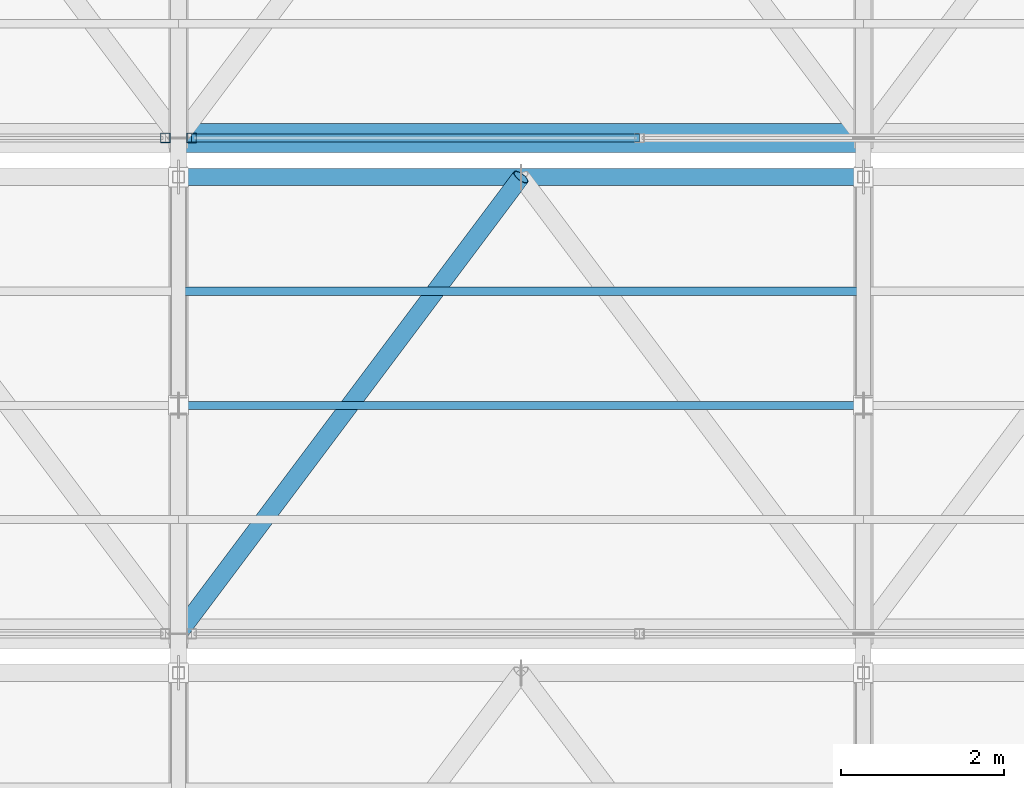
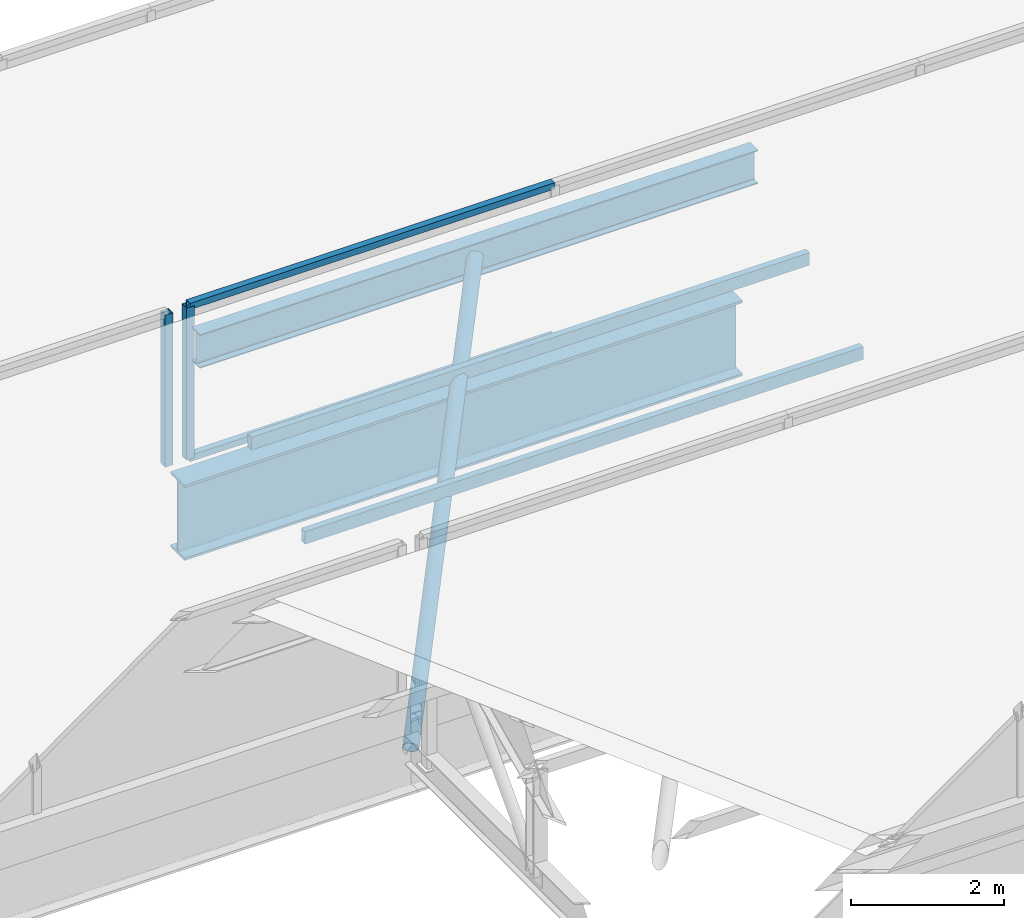
# One storey, part 112 of 217: 8 members, 1 beam, 2 elements without a shape of their own.
"""IFC4 building model written with IfcOpenShell, lengths in metres."""

import ifcopenshell
import ifcopenshell.guid

model = None  # the IFC model being written
_history = None  # IfcOwnerHistory: only IFC2X3 demands one
_inside = {}  # id of a spatial element -> (the spatial element, [elements in it])
_under = {}  # id of a project, library or spatial element -> (it, [spatial elements below it])
_declared = {}  # id of a project -> (the project, [libraries it declares])
_typed = {}  # id of a type object -> (the type object, [elements of that type])
_made_of = {}  # id of a material, layer set ... -> (it, [elements and type objects made of it])


def new_model(schema):
    """Start an empty IFC model of exactly this schema.

    Asked for "IFC4X3", IfcOpenShell would pick the latest addendum, in which some entities
    have other attributes; the version numbers below select the first issue.
    IFC2X3 requires an IfcOwnerHistory on every rooted entity: one is made here for all.
    """
    global model, _history
    if schema == "IFC4X3":
        model = ifcopenshell.file(schema_version=(4, 3, 0, 0))
    else:
        model = ifcopenshell.file(schema=schema)
    _inside.clear()
    _under.clear()
    _declared.clear()
    _typed.clear()
    _made_of.clear()
    _history = None
    if model.schema == "IFC2X3":
        org = make("IfcOrganization", Name="unknown")
        user = make(
            "IfcPersonAndOrganization",
            ThePerson=make("IfcPerson", FamilyName="unknown"),
            TheOrganization=org,
        )
        app = make(
            "IfcApplication",
            ApplicationDeveloper=org,
            Version="unknown",
            ApplicationFullName="unknown",
            ApplicationIdentifier="unknown",
        )
        _history = make(
            "IfcOwnerHistory",
            OwningUser=user,
            OwningApplication=app,
            ChangeAction="ADDED",
            CreationDate=0,
        )
    return model


def make(cls, **values):
    """One entity of the class cls with the attributes given. An attribute that is None is left unset."""
    return model.create_entity(
        cls, **{name: value for name, value in values.items() if value is not None}
    )


def rooted(cls, **values):
    """An entity with a GlobalId (a new one), such as an element, a storey or a relation."""
    return make(cls, GlobalId=ifcopenshell.guid.new(), OwnerHistory=_history, **values)


def si_unit(unit_type, name, prefix=None):
    """IfcSIUnit, for example si_unit("LENGTHUNIT", "METRE", prefix="MILLI")."""
    return make("IfcSIUnit", UnitType=unit_type, Prefix=prefix, Name=name)


def assignment(units):
    """IfcUnitAssignment: the units of a project."""
    return None if units is None else make("IfcUnitAssignment", Units=units)


def point(xyz):
    """IfcCartesianPoint."""
    return None if xyz is None else make("IfcCartesianPoint", Coordinates=xyz)


def direction(xyz):
    """IfcDirection."""
    return None if xyz is None else make("IfcDirection", DirectionRatios=xyz)


def frame(location, z_axis=None, x_axis=None):
    """IfcAxis2Placement3D, a coordinate frame: its origin and axes. An axis left out is left unset."""
    return make(
        "IfcAxis2Placement3D",
        Location=point(location),
        Axis=direction(z_axis),
        RefDirection=direction(x_axis),
    )


def frame_2d(location, x_axis=None):
    """IfcAxis2Placement2D, a coordinate frame in the plane: its origin and x axis."""
    return make(
        "IfcAxis2Placement2D", Location=point(location), RefDirection=direction(x_axis)
    )


def origin():
    """The frame at (0, 0, 0) with its axes left unset."""
    return frame((0.0, 0.0, 0.0))


def origin_2d():
    """The frame at (0, 0) in the plane with its x axis left unset."""
    return frame_2d((0.0, 0.0))


def place(relative_to, where):
    """IfcLocalPlacement: puts the frame where relative to a parent placement (None: the world)."""
    return make(
        "IfcLocalPlacement", PlacementRelTo=relative_to, RelativePlacement=where
    )


def context(
    kind, dimensions, precision=None, world=None, true_north=None, identifier=None
):
    """IfcGeometricRepresentationContext, for example the 3D "Model" context."""
    return make(
        "IfcGeometricRepresentationContext",
        ContextIdentifier=identifier,
        ContextType=kind,
        CoordinateSpaceDimension=dimensions,
        Precision=precision,
        WorldCoordinateSystem=world,
        TrueNorth=true_north,
    )


def subcontext(parent, identifier, kind, view, scale=None):
    """IfcGeometricRepresentationSubContext, for example "Body" below "Model"."""
    return make(
        "IfcGeometricRepresentationSubContext",
        ContextIdentifier=identifier,
        ContextType=kind,
        ParentContext=parent,
        TargetScale=scale,
        TargetView=view,
    )


def project(units=None, contexts=None):
    """IfcProject with its units and contexts."""
    return rooted(
        "IfcProject",
        Name="project",
        RepresentationContexts=contexts,
        UnitsInContext=assignment(units),
    )


def spatial(cls, under=None, at=None, **own):
    """A site, building, storey or space (cls), placed at a placement, below another one or the project."""
    s = rooted(cls, ObjectPlacement=at, **own)
    if under is not None:
        _under.setdefault(under.id(), (under, []))[1].append(s)
    return s


def profile(cls, at=None, kind="AREA", **sizes):
    """A parametric profile (cls). Its sizes go by their IFC names, for example OverallWidth=200.0."""
    return make(cls, ProfileType=kind, Position=at, **sizes)


def hollow_rectangle(**sizes):
    """IfcRectangleHollowProfileDef."""
    return profile("IfcRectangleHollowProfileDef", **sizes)


def hollow_circle(**sizes):
    """IfcCircleHollowProfileDef."""
    return profile("IfcCircleHollowProfileDef", **sizes)


def i_section(**sizes):
    """IfcIShapeProfileDef."""
    return profile("IfcIShapeProfileDef", **sizes)


def extrude(swept, where, along, depth):
    """IfcExtrudedAreaSolid: the profile swept, set in the frame where, extruded along a direction by depth."""
    return make(
        "IfcExtrudedAreaSolid",
        SweptArea=swept,
        Position=where,
        ExtrudedDirection=direction(along),
        Depth=depth,
    )


def shape(context_of_items, identifier, shape_type, items):
    """IfcShapeRepresentation: the items that make up one representation, for example the "Body"."""
    return make(
        "IfcShapeRepresentation",
        ContextOfItems=context_of_items,
        RepresentationIdentifier=identifier,
        RepresentationType=shape_type,
        Items=items,
    )


def material(Name=None, Category=None):
    """IfcMaterial."""
    return make("IfcMaterial", Name=Name, Category=Category)


def material_profile(
    of_material, cross_section, Name=None, Category=None, Priority=None
):
    """IfcMaterialProfile: a cross section and its material."""
    return make(
        "IfcMaterialProfile",
        Name=Name,
        Material=of_material,
        Profile=cross_section,
        Priority=Priority,
        Category=Category,
    )


def profile_set(profiles, Name=None, composite=None):
    """IfcMaterialProfileSet."""
    return make(
        "IfcMaterialProfileSet",
        Name=Name,
        MaterialProfiles=profiles,
        CompositeProfile=composite,
    )


def made_of(thing, what):
    """Note that an element or type object is made of a material, layer set ...; save() writes the relation."""
    if what is not None:
        _made_of.setdefault(what.id(), (what, []))[1].append(thing)
    return thing


def type_object(cls, material=None, **own):
    """A type object (cls), such as IfcWallType, which elements share."""
    return made_of(rooted(cls, **own), material)


def element(
    cls,
    number,
    at=None,
    inside=None,
    cuts=None,
    type_object=None,
    material=None,
    context=None,
    identifier="Body",
    shape_type=None,
    held_by="IfcProductDefinitionShape",
    body=None,
    shapes=None,
    **own,
):
    """One element of the class cls, such as IfcWall. Its Tag is "e" and its number.

    at: its placement. inside: the storey or other place that contains it. cuts: it is an
    opening in that element (IfcRelVoidsElement). A single representation is given by context,
    identifier, shape_type and body (its items); several are given by shapes. held_by: the class
    of the entity that holds the representations. save() writes the other relations.
    """
    e = rooted(cls, Tag="e%d" % number, ObjectPlacement=at, **own)
    if body is not None:
        shapes = [shape(context, identifier, shape_type, body)]
    if shapes is not None:
        e.Representation = make(held_by, Representations=shapes)
    if inside is not None:
        _inside.setdefault(inside.id(), (inside, []))[1].append(e)
    if cuts is not None:
        rooted(
            "IfcRelVoidsElement", RelatingBuildingElement=cuts, RelatedOpeningElement=e
        )
    if type_object is not None:
        _typed.setdefault(type_object.id(), (type_object, []))[1].append(e)
    return made_of(e, material)


def aggregate(whole, parts):
    """IfcRelAggregates: a whole, such as a stair, and the parts it consists of."""
    return rooted("IfcRelAggregates", RelatingObject=whole, RelatedObjects=parts)


def save(model, path):
    """Write the relations noted so far, then the file.

    IfcRelAggregates (storeys below a building ...), IfcRelContainedInSpatialStructure (elements
    in a storey), IfcRelDefinesByType, IfcRelAssociatesMaterial and IfcRelDeclares: one each for
    every whole, place, type object, material and project.
    """
    for whole, parts in _under.values():
        aggregate(whole, parts)
    for where, things in _inside.values():
        rooted(
            "IfcRelContainedInSpatialStructure",
            RelatedElements=things,
            RelatingStructure=where,
        )
    for kind, things in _typed.values():
        rooted("IfcRelDefinesByType", RelatedObjects=things, RelatingType=kind)
    for what, things in _made_of.values():
        rooted("IfcRelAssociatesMaterial", RelatedObjects=things, RelatingMaterial=what)
    for by, libraries in _declared.values():
        rooted("IfcRelDeclares", RelatingContext=by, RelatedDefinitions=libraries)
    model.write(path)


model = new_model("IFC4")

# Units and contexts
model_context = context("Model", 3, precision=1e-05, world=origin(), true_north=direction((0.0, 1.0)))
body_context = subcontext(model_context, "Body", "Model", "MODEL_VIEW")
ifc_project = project(units=[si_unit("LENGTHUNIT", "METRE"), si_unit("AREAUNIT", "SQUARE_METRE"), si_unit("VOLUMEUNIT", "CUBIC_METRE"), si_unit("PLANEANGLEUNIT", "RADIAN"), si_unit("MASSUNIT", "GRAM", prefix="KILO")], contexts=[model_context])

# Site, building, storey
site_placement = place(None, origin())
site = spatial("IfcSite", under=ifc_project, at=site_placement, CompositionType="ELEMENT")
building_placement = place(site_placement, origin())
building = spatial("IfcBuilding", under=site, at=building_placement, Name="Zuvorla Pavilion Media Centre", CompositionType="ELEMENT")
storey_placement = place(building_placement, frame((0.0, 0.0, 9.60009765625)))
storey = spatial("IfcBuildingStorey", under=building, at=storey_placement, Name="L02", CompositionType="ELEMENT", Elevation=9.60009765625)

# Beam
ifc_material_1 = material(Name="Steel S355", Category="steel")
ifc_material_profile_1 = material_profile(ifc_material_1, i_section(OverallWidth=0.360107421875, OverallDepth=1.199951171875, WebThickness=0.02001953125, FlangeThickness=0.0380859375, FilletRadius=0.02392578125, at=origin_2d()), Name="PG 1200x360x38")
ifc_profile_set_1 = profile_set([ifc_material_profile_1], Name="Steel S355")
beam_type = type_object("IfcBeamType", Name="BM-PG1200", PredefinedType="BEAM", material=ifc_profile_set_1)
beam_placement = place(storey_placement, frame((100.39990234375, 113.919921875, -0.88818359375), z_axis=(1.0, 0.0, 0.0), x_axis=(0.0, 1.0, 0.0)))
element("IfcBeam", 1, at=beam_placement, inside=storey, type_object=beam_type, Name="L02 beam B01 1805", PredefinedType="BEAM", context=body_context, shape_type="SweptSolid", body=[
    extrude(i_section(OverallWidth=0.360107421875, OverallDepth=1.199951171875, WebThickness=0.02001953125, FlangeThickness=0.0380859375, FilletRadius=0.02392578125, at=origin_2d()), origin(), (0.0, 0.0, 1.0), 8.400146484375),
])

# Curtain wall, member
ifc_material_2 = material(Name="Unitised anodised aluminium and solar glass curtain wall", Category="aluminium")
curtain_wall_type = type_object("IfcCurtainWallType", Name="CW-SYS-88", PredefinedType="USERDEFINED", material=ifc_material_2)
curtain_wall_1_placement = place(storey_placement, origin())
curtain_wall_1 = element("IfcCurtainWall", 2, at=curtain_wall_1_placement, inside=storey, type_object=curtain_wall_type, Name="L02 curtain wall CW88 213", ObjectType="CURTAIN WALL", PredefinedType="USERDEFINED")
ifc_material_3 = material(Name="Anodised aluminium 6063-T6", Category="aluminium")
ifc_material_profile_2 = material_profile(ifc_material_3, hollow_rectangle(XDim=0.1201171875, YDim=0.1201171875, WallThickness=0.0048828125, at=origin_2d()), Name="ALU MULL 120x120")
ifc_profile_set_2 = profile_set([ifc_material_profile_2], Name="Anodised aluminium 6063-T6")
member_type_1 = type_object("IfcMemberType", Name="CW-MULL-120", PredefinedType="MULLION", material=ifc_profile_set_2)
member_1_placement = place(storey_placement, frame((100.239990234375, 113.919921875, 0.0), z_axis=(0.0, 0.0, 1.0), x_axis=(1.0, 0.0, 0.0)))
member_1 = element("IfcMember", 3, at=member_1_placement, type_object=member_type_1, Name="CW88 mullion 4", PredefinedType="MULLION", context=body_context, shape_type="SweptSolid", body=[
    extrude(hollow_rectangle(XDim=0.1201171875, YDim=0.1201171875, WallThickness=0.0048828125, at=origin_2d()), origin(), (0.0, 0.0, 1.0), 2.419921875),
])
aggregate(curtain_wall_1, [member_1])

# Curtain wall, members
curtain_wall_2_placement = place(storey_placement, origin())
curtain_wall_2 = element("IfcCurtainWall", 4, at=curtain_wall_2_placement, inside=storey, type_object=curtain_wall_type, Name="L02 curtain wall CW88 214", ObjectType="CURTAIN WALL", PredefinedType="USERDEFINED")
member_2_placement = place(storey_placement, frame((100.56005859375, 113.919921875, 0.0), z_axis=(0.0, 0.0, 1.0), x_axis=(1.0, 0.0, 0.0)))
member_2 = element("IfcMember", 5, at=member_2_placement, type_object=member_type_1, Name="CW88 mullion 1", PredefinedType="MULLION", context=body_context, shape_type="SweptSolid", body=[
    extrude(hollow_rectangle(XDim=0.1201171875, YDim=0.1201171875, WallThickness=0.0048828125, at=origin_2d()), origin(), (0.0, 0.0, 1.0), 2.419921875),
])
ifc_material_profile_3 = material_profile(ifc_material_3, hollow_rectangle(XDim=0.10009765625, YDim=0.10009765625, WallThickness=0.00439453125, at=origin_2d()), Name="ALU TRAN 100x100")
ifc_profile_set_3 = profile_set([ifc_material_profile_3], Name="Anodised aluminium 6063-T6")
member_type_2 = type_object("IfcMemberType", Name="CW-TRAN-100", PredefinedType="USERDEFINED", material=ifc_profile_set_3)
member_3_placement = place(storey_placement, frame((100.56005859375, 113.919921875, 0.0), z_axis=(1.0, 0.0, 0.0), x_axis=(0.0, 1.0, 0.0)))
member_3 = element("IfcMember", 6, at=member_3_placement, type_object=member_type_2, Name="CW88 transom 1.1", ObjectType="TRANSOM", PredefinedType="USERDEFINED", context=body_context, shape_type="SweptSolid", body=[
    extrude(hollow_rectangle(XDim=0.10009765625, YDim=0.10009765625, WallThickness=0.00439453125, at=origin_2d()), origin(), (0.0, 0.0, 1.0), 5.4931640625),
])
member_4_placement = place(storey_placement, frame((100.56005859375, 113.919921875, 2.419921875), z_axis=(1.0, 0.0, 0.0), x_axis=(0.0, 1.0, 0.0)))
member_4 = element("IfcMember", 7, at=member_4_placement, type_object=member_type_2, Name="CW88 transom 1.2", ObjectType="TRANSOM", PredefinedType="USERDEFINED", context=body_context, shape_type="SweptSolid", body=[
    extrude(hollow_rectangle(XDim=0.10009765625, YDim=0.10009765625, WallThickness=0.00439453125, at=origin_2d()), origin(), (0.0, 0.0, 1.0), 5.4931640625),
])
aggregate(curtain_wall_2, [member_2, member_3, member_4])

# Members
ifc_material_profile_4 = material_profile(ifc_material_1, hollow_circle(Radius=0.109619140625, WallThickness=0.010009765625, at=origin_2d()), Name="CHS 219.1x10")
ifc_profile_set_4 = profile_set([ifc_material_profile_4], Name="Steel S355")
member_type_3 = type_object("IfcMemberType", Name="MEM-BRC-CHS219", PredefinedType="BRACE", material=ifc_profile_set_4)
member_5_placement = place(storey_placement, frame((100.39990234375, 107.840087890625, -0.880126953125), z_axis=(0.552546982264, 0.73667578076, 0.389872577174), x_axis=(-0.799979073174, 0.600027901421, 0.0)))
element("IfcMember", 8, at=member_5_placement, inside=storey, type_object=member_type_3, Name="L02 diagonal brace TB02 382", PredefinedType="BRACE", context=body_context, shape_type="SweptSolid", body=[
    extrude(hollow_circle(Radius=0.109619140625, WallThickness=0.010009765625, at=origin_2d()), origin(), (0.0, 0.0, 1.0), 7.6015625),
])
ifc_material_profile_5 = material_profile(ifc_material_1, i_section(OverallWidth=0.2099609375, OverallDepth=0.53662109375, WebThickness=0.0107421875, FlangeThickness=0.017333984375, FilletRadius=0.0126953125, at=origin_2d()), Name="UB 533x210x101")
ifc_profile_set_5 = profile_set([ifc_material_profile_5], Name="Steel S355")
member_type_4 = type_object("IfcMemberType", Name="MEM-CHD-UB533", PredefinedType="CHORD", material=ifc_profile_set_5)
member_6_placement = place(storey_placement, frame((100.39990234375, 113.43994140625, 2.08349609375), z_axis=(1.0, 0.0, 0.0), x_axis=(0.0, 1.0, 0.0)))
element("IfcMember", 9, at=member_6_placement, inside=storey, type_object=member_type_4, Name="L02 chord TC02 381", PredefinedType="CHORD", context=body_context, shape_type="SweptSolid", body=[
    extrude(i_section(OverallWidth=0.2099609375, OverallDepth=0.53662109375, WebThickness=0.0107421875, FlangeThickness=0.017333984375, FilletRadius=0.0126953125, at=origin_2d()), origin(), (0.0, 0.0, 1.0), 8.400146484375),
])
ifc_material_profile_6 = material_profile(ifc_material_1, hollow_rectangle(XDim=0.10009765625, YDim=0.199951171875, WallThickness=0.008056640625, at=origin_2d()), Name="RHS 200x100x8")
ifc_profile_set_6 = profile_set([ifc_material_profile_6], Name="Steel S355")
member_type_5 = type_object("IfcMemberType", Name="MEM-PUR-RHS200", PredefinedType="PURLIN", material=ifc_profile_set_6)
for number, where, z_axis, x_axis, name in (
    (10, (100.39990234375, 110.639892578125, 0.783447265625), (1.0, 0.0, 0.0), (0.0, 1.0, 0.0), "L02 purlin PR01 385"),
    (11, (100.39990234375, 112.0400390625, 1.43359375), (1.0, 0.0, 0.0), (0.0, 1.0, 0.0), "L02 purlin PR01 386"),
):
    element("IfcMember", number, at=place(storey_placement, frame(where, z_axis=z_axis, x_axis=x_axis)), inside=storey, type_object=member_type_5, Name=name, PredefinedType="PURLIN", context=body_context, shape_type="SweptSolid", body=[
        extrude(hollow_rectangle(XDim=0.10009765625, YDim=0.199951171875, WallThickness=0.008056640625, at=origin_2d()), origin(), (0.0, 0.0, 1.0), 8.400146484375),
    ])

save(model, "model.ifc")
